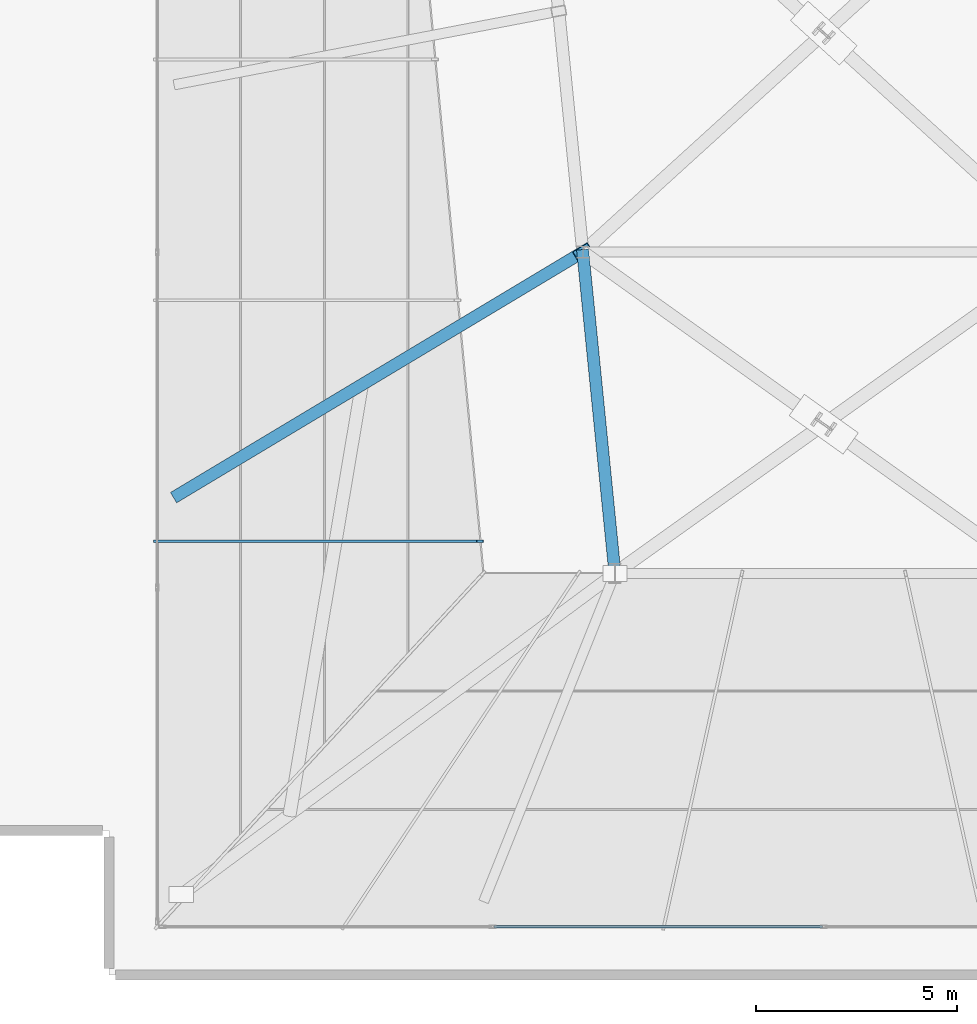
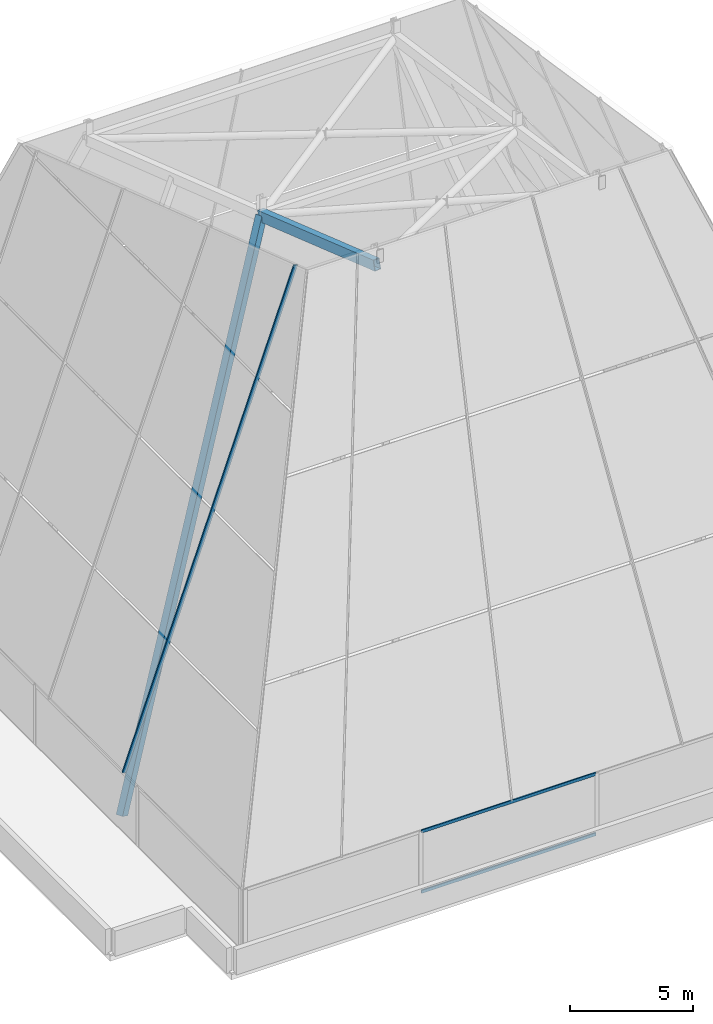
# One storey, part 4 of 32: 5 members, 2 elements without a shape of their own.
"""IFC4 building model written with IfcOpenShell, lengths in metres."""

from ifc_helpers import new_model, si_unit, direction, frame, origin, origin_2d, place, context, subcontext, project, spatial, hollow_rectangle, extrude, source, transform, mapped, material, layer, layer_set, material_profile, profile_set, type_object, element, aggregate, save


model = new_model("IFC4")

# Units and contexts
model_context = context("Model", 3, precision=1e-05, world=origin(), true_north=direction((0.0, 1.0)))
body_context = subcontext(model_context, "Body", "Model", "MODEL_VIEW")
ifc_project = project(units=[si_unit("LENGTHUNIT", "METRE"), si_unit("AREAUNIT", "SQUARE_METRE"), si_unit("VOLUMEUNIT", "CUBIC_METRE"), si_unit("PLANEANGLEUNIT", "RADIAN"), si_unit("MASSUNIT", "GRAM", prefix="KILO")], contexts=[model_context])

# Site, building, storey
site_placement = place(None, origin())
site = spatial("IfcSite", under=ifc_project, at=site_placement, CompositionType="ELEMENT")
building_placement = place(site_placement, origin())
building = spatial("IfcBuilding", under=site, at=building_placement, Name="Sumidabori Civic Tower", CompositionType="ELEMENT")
storey_placement = place(building_placement, frame((0.0, 0.0, 298.199951171875)))
storey = spatial("IfcBuildingStorey", under=building, at=storey_placement, Name="RF Roof Crown", CompositionType="ELEMENT", Elevation=298.199951171875)

# Members
ifc_material_1 = material(Name="Steel SN490", Category="steel")
ifc_material_profile_1 = material_profile(ifc_material_1, hollow_rectangle(XDim=0.300048828125, YDim=0.5, WallThickness=0.02001953125, at=origin_2d()), Name="RHS 500x300x20")
ifc_profile_set_1 = profile_set([ifc_material_profile_1], Name="Steel SN490")
member_type_1 = type_object("IfcMemberType", Name="MB-CRN-RAFTER", PredefinedType="RAFTER", material=ifc_profile_set_1)
shared_shape_1 = source(origin(), body_context, "Body", "SweptSolid", [
    extrude(hollow_rectangle(XDim=0.300048828125, YDim=0.5, WallThickness=0.02001953125, at=origin_2d()), origin(), (0.0, 0.0, 1.0), 25.431640625),
])
member_1_placement = place(storey_placement, frame((-16.0, 0.0, 0.0), z_axis=(0.393212161797, 0.235927297078, 0.888663325624), x_axis=(-0.514495755428, 0.857492925713, 0.0)))
element("IfcMember", 1, at=member_1_placement, inside=storey, type_object=member_type_1, Name="Crown Structural Rafter RF-MW", PredefinedType="RAFTER", context=body_context, shape_type="MappedRepresentation", body=[
    mapped(shared_shape_1, transform((0.0, 0.0, 0.0), x_axis=(1.0, 0.0, 0.0), y_axis=(0.0, 1.0, 0.0), z_axis=(0.0, 0.0, 1.0), scale=1.0)),
])
shared_shape_2 = source(origin(), body_context, "Body", "SweptSolid", [
    extrude(hollow_rectangle(XDim=0.300048828125, YDim=0.5, WallThickness=0.02001953125, at=origin_2d()), origin(), (0.0, 0.0, 1.0), 8.3095703125),
])
member_2_placement = place(storey_placement, frame((-5.199951171875, -2.0, 24.699951171875), z_axis=(-0.096280057502, 0.962741813926, -0.252702097826), x_axis=(-0.995036588883, -0.09950973211, 0.0)))
element("IfcMember", 2, at=member_2_placement, inside=storey, type_object=member_type_1, Name="Crown Structural Rafter RF-RIDGE-W1", PredefinedType="RAFTER", context=body_context, shape_type="MappedRepresentation", body=[
    mapped(shared_shape_2, transform((0.0, 0.0, 0.0), x_axis=(1.0, 0.0, 0.0), y_axis=(0.0, 1.0, 0.0), z_axis=(0.0, 0.0, 1.0), scale=1.0)),
])

# Curtain wall, members
ifc_material_2 = material(Name="Anodised Bronze Aluminium AW-6063-T6", Category="aluminium")
ifc_layer = layer(ifc_material_2, 0.179931640625, Name="Anodised Bronze Aluminium AW-6063-T6")
ifc_layer_set = layer_set([ifc_layer], Name="Anodised Bronze Aluminium AW-6063-T6")
curtain_wall_type = type_object("IfcCurtainWallType", Name="CW-SYS-6", PredefinedType="NOTDEFINED", material=ifc_layer_set)
curtain_wall_1_placement = place(storey_placement, origin())
curtain_wall_1 = element("IfcCurtainWall", 3, at=curtain_wall_1_placement, inside=storey, type_object=curtain_wall_type, Name="Glass-Point Crown South Prow Curtain Wall", PredefinedType="NOTDEFINED")
ifc_material_profile_2 = material_profile(ifc_material_2, hollow_rectangle(XDim=0.06494140625, YDim=0.14990234375, WallThickness=0.0048828125, at=origin_2d()), Name="ALU TRANSOM 150x65")
ifc_profile_set_2 = profile_set([ifc_material_profile_2], Name="Anodised Bronze Aluminium AW-6063-T6")
member_type_2 = type_object("IfcMemberType", Name="CW-TRN-150", PredefinedType="USERDEFINED", material=ifc_profile_set_2)
shared_shape_3 = source(origin(), body_context, "Body", "SweptSolid", [
    extrude(hollow_rectangle(XDim=0.06494140625, YDim=0.14990234375, WallThickness=0.0048828125, at=origin_2d()), origin(), (0.0, 0.0, 1.0), 8.18017578125),
])
member_3_placement = place(storey_placement, frame((-8.215087890625, -10.800048828125, 0.032470703125), z_axis=(1.0, 0.0, 0.0), x_axis=(0.0, 1.0, 0.0)))
member_3 = element("IfcMember", 4, at=member_3_placement, type_object=member_type_2, Name="CW-6 transom 2.1", ObjectType="TRANSOM", PredefinedType="USERDEFINED", context=body_context, shape_type="MappedRepresentation", body=[
    mapped(shared_shape_3, transform((0.0, 0.0, 0.0), x_axis=(1.0, 0.0, 0.0), y_axis=(0.0, 1.0, 0.0), z_axis=(0.0, 0.0, 1.0), scale=1.0)),
])
member_4_placement = place(storey_placement, frame((-8.215087890625, -10.800048828125, 3.017578125), z_axis=(1.0, 0.0, 0.0), x_axis=(0.0, 1.0, 0.0)))
member_4 = element("IfcMember", 5, at=member_4_placement, type_object=member_type_2, Name="CW-6 transom 2.2", ObjectType="TRANSOM", PredefinedType="USERDEFINED", context=body_context, shape_type="MappedRepresentation", body=[
    mapped(shared_shape_3, transform((0.0, 0.0, 0.0), x_axis=(1.0, 0.0, 0.0), y_axis=(0.0, 1.0, 0.0), z_axis=(0.0, 0.0, 1.0), scale=1.0)),
])
aggregate(curtain_wall_1, [member_3, member_4])

# Curtain wall, member
curtain_wall_2_placement = place(storey_placement, origin())
curtain_wall_2 = element("IfcCurtainWall", 6, at=curtain_wall_2_placement, inside=storey, type_object=curtain_wall_type, Name="Glass-Point Crown West Cheek Curtain Wall", PredefinedType="NOTDEFINED")
ifc_material_profile_3 = material_profile(ifc_material_2, hollow_rectangle(XDim=0.070068359375, YDim=0.179931640625, WallThickness=0.006103515625, at=origin_2d()), Name="ALU MULLION 180x70")
ifc_profile_set_3 = profile_set([ifc_material_profile_3], Name="Anodised Bronze Aluminium AW-6063-T6")
member_type_3 = type_object("IfcMemberType", Name="CW-MUL-180", PredefinedType="MULLION", material=ifc_profile_set_3)
shared_shape_4 = source(origin(), body_context, "Body", "SweptSolid", [
    extrude(hollow_rectangle(XDim=0.070068359375, YDim=0.179931640625, WallThickness=0.006103515625, at=origin_2d()), origin(), (0.0, 0.0, 1.0), 23.735107421875),
])
member_5_placement = place(storey_placement, frame((-16.60009765625, -1.199951171875, 3.050048828125), z_axis=(0.338720196748, 0.0, 0.940887149617), x_axis=(0.0, 1.0, 0.0)))
member_5 = element("IfcMember", 7, at=member_5_placement, type_object=member_type_3, Name="Crown West Cheek Sloped Mullion M1", PredefinedType="MULLION", context=body_context, shape_type="MappedRepresentation", body=[
    mapped(shared_shape_4, transform((0.0, 0.0, 0.0), x_axis=(1.0, 0.0, 0.0), y_axis=(0.0, 1.0, 0.0), z_axis=(0.0, 0.0, 1.0), scale=1.0)),
])
aggregate(curtain_wall_2, [member_5])

save(model, "model.ifc")
